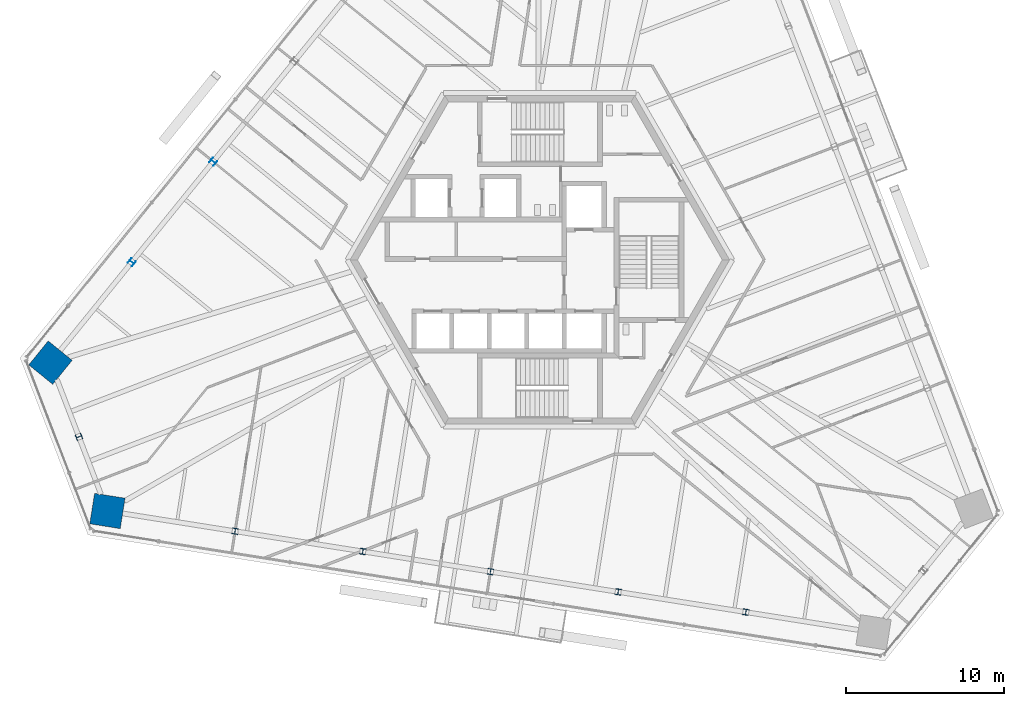
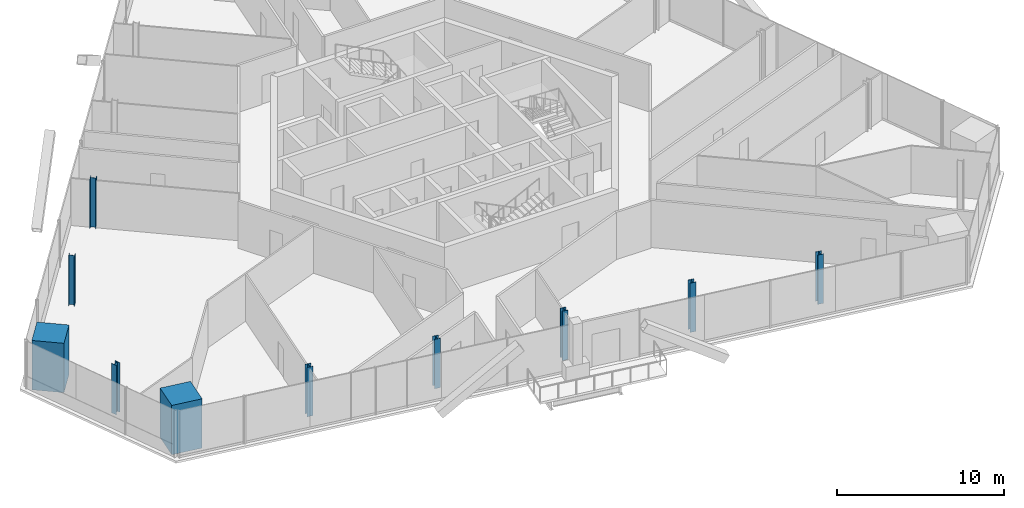
# One storey, part 1 of 19: 10 columns.
"""IFC4 building model written with IfcOpenShell, lengths in metres."""

from ifc_helpers import new_model, si_unit, direction, frame, origin, origin_2d, place, context, subcontext, project, spatial, rectangle, i_section, extrude, source, transform, mapped, material, material_profile, profile_set, type_object, element, save


model = new_model("IFC4")

# Units and contexts
model_context = context("Model", 3, precision=1e-05, world=origin(), true_north=direction((0.0, 1.0)))
body_context = subcontext(model_context, "Body", "Model", "MODEL_VIEW")
ifc_project = project(units=[si_unit("LENGTHUNIT", "METRE"), si_unit("AREAUNIT", "SQUARE_METRE"), si_unit("VOLUMEUNIT", "CUBIC_METRE"), si_unit("PLANEANGLEUNIT", "RADIAN"), si_unit("MASSUNIT", "GRAM", prefix="KILO")], contexts=[model_context])

# Site, building, storey
site_placement = place(None, origin())
site = spatial("IfcSite", under=ifc_project, at=site_placement, CompositionType="ELEMENT")
building_placement = place(site_placement, origin())
building = spatial("IfcBuilding", under=site, at=building_placement, Name="Triune Harvest Tower", CompositionType="ELEMENT")
storey_placement = place(building_placement, frame((0.0, 0.0, 149.699951171875)))
storey = spatial("IfcBuildingStorey", under=building, at=storey_placement, Name="L38", CompositionType="ELEMENT", Elevation=149.699951171875)

# Columns
ifc_material_1 = material(Name="Concrete 70 MPa", Category="concrete")
ifc_material_profile_1 = material_profile(ifc_material_1, rectangle(XDim=1.949951171875, YDim=1.949951171875, at=origin_2d()), Name="Composite 1950x1950")
ifc_profile_set_1 = profile_set([ifc_material_profile_1], Name="Concrete 70 MPa")
column_type_1 = type_object("IfcColumnType", Name="MC-4 Mega column Composite 1950x1950", PredefinedType="COLUMN", material=ifc_profile_set_1)
shared_shape_1 = source(origin(), body_context, "Body", "SweptSolid", [
    extrude(rectangle(XDim=1.949951171875, YDim=1.949951171875, at=origin_2d()), origin(), (0.0, 0.0, 1.0), 3.60009765625),
])
for number, where, z_axis, x_axis, name in (
    (1, (-30.947509765625, -6.4970703125, 0.0), (0.0, 0.0, 1.0), (-0.629321747424, -0.777144863084, 0.0), "col/L38/M14"),
    (2, (-27.345703125, -15.879638671875, 0.0), (0.0, 0.0, 1.0), (0.987688340595, -0.15643446504, 0.0), "col/L38/M16"),
):
    element("IfcColumn", number, at=place(storey_placement, frame(where, z_axis=z_axis, x_axis=x_axis)), inside=storey, type_object=column_type_1, Name=name, PredefinedType="COLUMN", context=body_context, shape_type="MappedRepresentation", body=[
        mapped(shared_shape_1, transform((0.0, 0.0, 0.0), scale=1.0)),
    ])
ifc_material_2 = material(Name="Steel ASTM A992 Gr 50", Category="steel")
ifc_material_profile_2 = material_profile(ifc_material_2, i_section(OverallWidth=0.373291015625, OverallDepth=0.373291015625, WebThickness=0.016357421875, FlangeThickness=0.026123046875, at=origin_2d()), Name="W14x132")
ifc_profile_set_2 = profile_set([ifc_material_profile_2], Name="Steel ASTM A992 Gr 50")
column_type_2 = type_object("IfcColumnType", Name="PC-4 Perimeter column W14x132", PredefinedType="COLUMN", material=ifc_profile_set_2)
shared_shape_2 = source(origin(), body_context, "Body", "SweptSolid", [
    extrude(i_section(OverallWidth=0.373291015625, OverallDepth=0.373291015625, WebThickness=0.016357421875, FlangeThickness=0.026123046875, at=origin_2d()), origin(), (0.0, 0.0, 1.0), 3.60009765625),
])
for number, where, z_axis, x_axis, name in (
    (3, (-20.657958984375, 6.209228515625, 0.0), (0.0, 0.0, 1.0), (-0.629321747424, -0.777144863084, 0.0), "col/L38/P12"),
    (4, (-25.802734375, -0.143798828125, 0.0), (0.0, 0.0, 1.0), (-0.629321747424, -0.777144863084, 0.0), "col/L38/P13"),
    (5, (-29.146484375, -11.188232421875, 0.0), (0.0, 0.0, 1.0), (0.35836632014, -0.933581051966, 0.0), "col/L38/P15"),
    (6, (-19.271484375, -17.158447265625, 0.0), (0.0, 0.0, 1.0), (0.987688340595, -0.15643446504, 0.0), "col/L38/P17"),
    (7, (-11.197021484375, -18.437255859375, 0.0), (0.0, 0.0, 1.0), (0.987688340595, -0.15643446504, 0.0), "col/L38/P18"),
    (8, (-3.122802734375, -19.716064453125, 0.0), (0.0, 0.0, 1.0), (0.987688340595, -0.15643446504, 0.0), "col/L38/P19"),
    (9, (4.95166015625, -20.9951171875, 0.0), (0.0, 0.0, 1.0), (0.987688340595, -0.15643446504, 0.0), "col/L38/P20"),
    (10, (13.02587890625, -22.27392578125, 0.0), (0.0, 0.0, 1.0), (0.987688340595, -0.15643446504, 0.0), "col/L38/P21"),
):
    element("IfcColumn", number, at=place(storey_placement, frame(where, z_axis=z_axis, x_axis=x_axis)), inside=storey, type_object=column_type_2, Name=name, PredefinedType="COLUMN", context=body_context, shape_type="MappedRepresentation", body=[
        mapped(shared_shape_2, transform((0.0, 0.0, 0.0), scale=1.0)),
    ])

save(model, "model.ifc")
